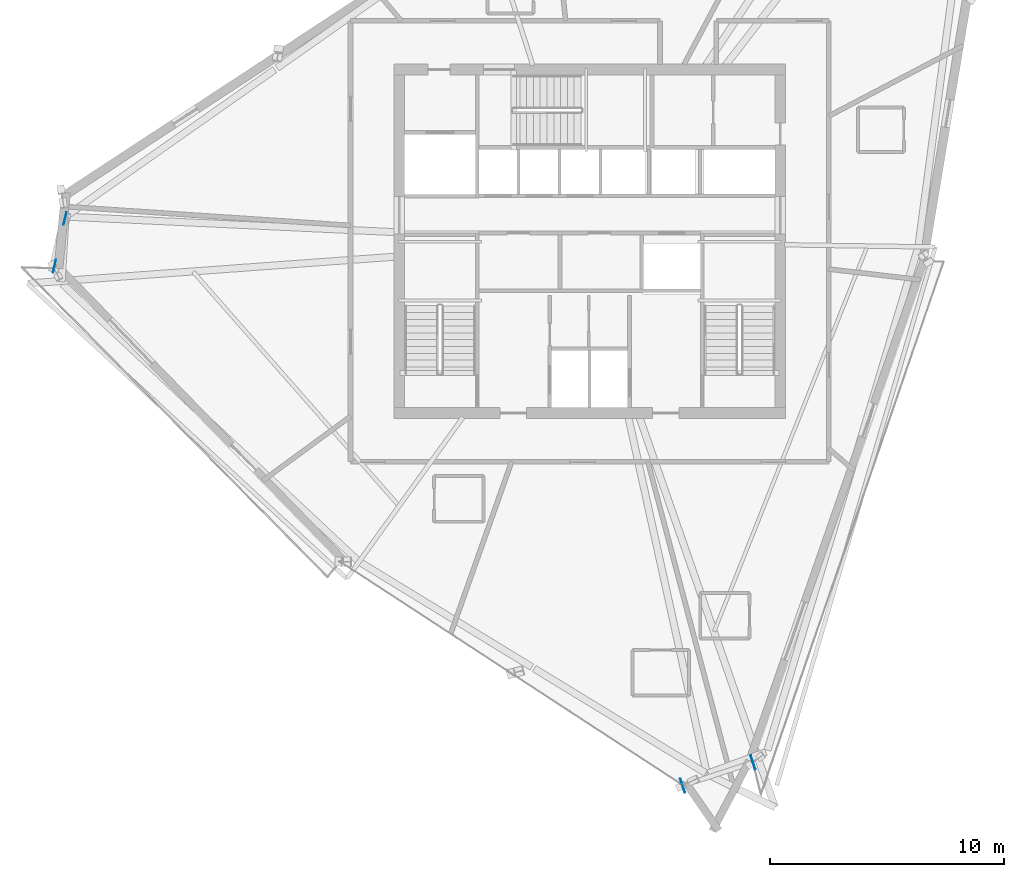
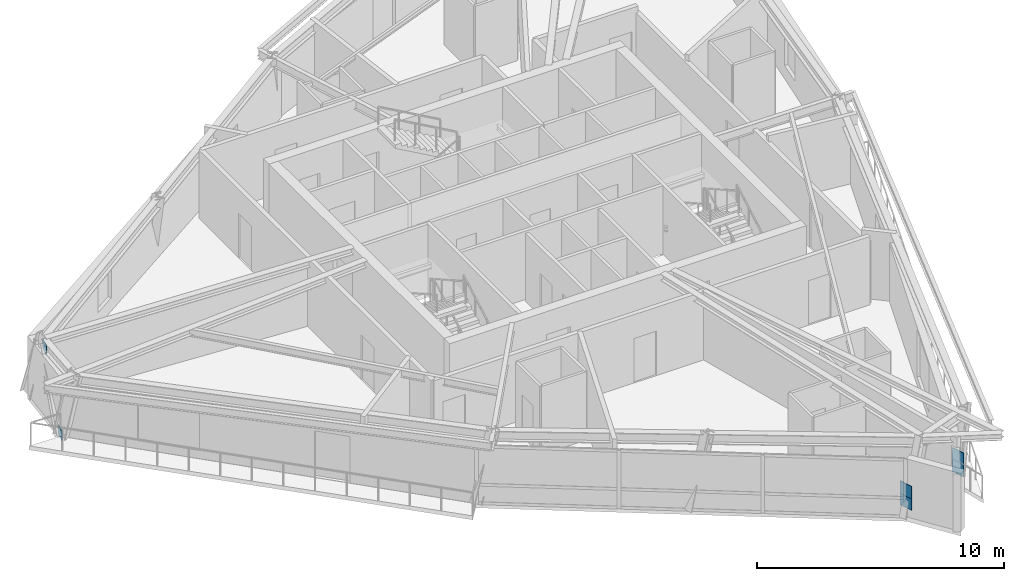
# One storey, part 6 of 14: 6 plates.
"""IFC4 building model written with IfcOpenShell, lengths in metres."""

from ifc_helpers import new_model, si_unit, direction, frame, origin, origin_2d, place, context, subcontext, project, spatial, rectangle, extrude, source, transform, mapped, material, type_object, element, save


model = new_model("IFC4")

# Units and contexts
model_context = context("Model", 3, precision=1e-05, world=origin(), true_north=direction((0.0, 1.0)))
body_context = subcontext(model_context, "Body", "Model", "MODEL_VIEW")
ifc_project = project(units=[si_unit("LENGTHUNIT", "METRE"), si_unit("AREAUNIT", "SQUARE_METRE"), si_unit("VOLUMEUNIT", "CUBIC_METRE"), si_unit("PLANEANGLEUNIT", "RADIAN"), si_unit("MASSUNIT", "GRAM", prefix="KILO")], contexts=[model_context])

# Site, building, storey
site_placement = place(None, origin())
site = spatial("IfcSite", under=ifc_project, at=site_placement, CompositionType="ELEMENT")
building_placement = place(site_placement, origin())
building = spatial("IfcBuilding", under=site, at=building_placement, Name="Olszyna Solenne Hotel", CompositionType="ELEMENT")
storey_placement = place(building_placement, frame((0.0, 0.0, 252.5)))
storey = spatial("IfcBuildingStorey", under=building, at=storey_placement, Name="L67", CompositionType="ELEMENT", Elevation=252.5)

# Plates
ifc_material_1 = material(Name="Steel S460M", Category="steel")
plate_type_1 = type_object("IfcPlateType", Name="GP-CAP2", PredefinedType="USERDEFINED", material=ifc_material_1)
shared_shape_1 = source(origin(), body_context, "Body", "SweptSolid", [
    extrude(rectangle(XDim=0.030029296875, YDim=0.6201171875, at=origin_2d()), origin(), (0.0, 0.0, 1.0), 0.6201171875),
])
for number, where, z_axis, x_axis, name in (
    (1, (41.9619140625, 3.387451171875, 1.0400390625), (0.0, 0.0, 1.0), (0.950515731628, 0.310676429631, 0.0), "Hollow section end-cap plate GP-CAP2 CP-PR-M-L67-PR1-1"),
    (2, (44.96728515625, 4.36962890625, 1.0400390625), (0.0, 0.0, 1.0), (0.950515731628, 0.310676429631, 0.0), "Hollow section end-cap plate GP-CAP2 CP-PR-M-L67-PR1-2"),
    (3, (41.9619140625, 3.387451171875, 0.469970703125), (0.0, 0.0, 1.0), (0.950515731628, 0.310676429631, 0.0), "Hollow section end-cap plate GP-CAP2 CP-PR-M-L67-PR2-1"),
    (4, (44.96728515625, 4.36962890625, 0.469970703125), (0.0, 0.0, 1.0), (0.950515731628, 0.310676429631, 0.0), "Hollow section end-cap plate GP-CAP2 CP-PR-M-L67-PR2-2"),
):
    element("IfcPlate", number, at=place(storey_placement, frame(where, z_axis=z_axis, x_axis=x_axis)), inside=storey, type_object=plate_type_1, Name=name, ObjectType="GUSSET_PLATE", PredefinedType="USERDEFINED", context=body_context, shape_type="MappedRepresentation", body=[
        mapped(shared_shape_1, transform((0.0, 0.0, 0.0), x_axis=(1.0, 0.0, 0.0), y_axis=(0.0, 1.0, 0.0), z_axis=(0.0, 0.0, 1.0), scale=1.0)),
    ])
ifc_material_2 = material(Name="Steel S355J2", Category="steel")
plate_type_2 = type_object("IfcPlateType", Name="GP-ND2", PredefinedType="USERDEFINED", material=ifc_material_2)
shared_shape_2 = source(origin(), body_context, "Body", "SweptSolid", [
    extrude(rectangle(XDim=0.56005859375, YDim=0.02001953125, at=origin_2d()), origin(), (0.0, 0.0, 1.0), 0.47998046875),
])
for number, where, z_axis, x_axis, name in (
    (5, (15.171875, 25.54248046875, -0.11669921875), (0.0, 0.0, 1.0), (0.217802568899, 0.975992848837, 0.0), "Brace end connection gusset plate GP-ND2 EP-BR-L67-2-1"),
    (6, (15.624267578125, 27.57080078125, 2.751708984375), (0.0, 0.0, 1.0), (0.217802568899, 0.975992848837, 0.0), "Brace end connection gusset plate GP-ND2 EP-BR-L67-2-2"),
):
    element("IfcPlate", number, at=place(storey_placement, frame(where, z_axis=z_axis, x_axis=x_axis)), inside=storey, type_object=plate_type_2, Name=name, ObjectType="GUSSET_PLATE", PredefinedType="USERDEFINED", context=body_context, shape_type="MappedRepresentation", body=[
        mapped(shared_shape_2, transform((0.0, 0.0, 0.0), x_axis=(1.0, 0.0, 0.0), y_axis=(0.0, 1.0, 0.0), z_axis=(0.0, 0.0, 1.0), scale=1.0)),
    ])

save(model, "model.ifc")
